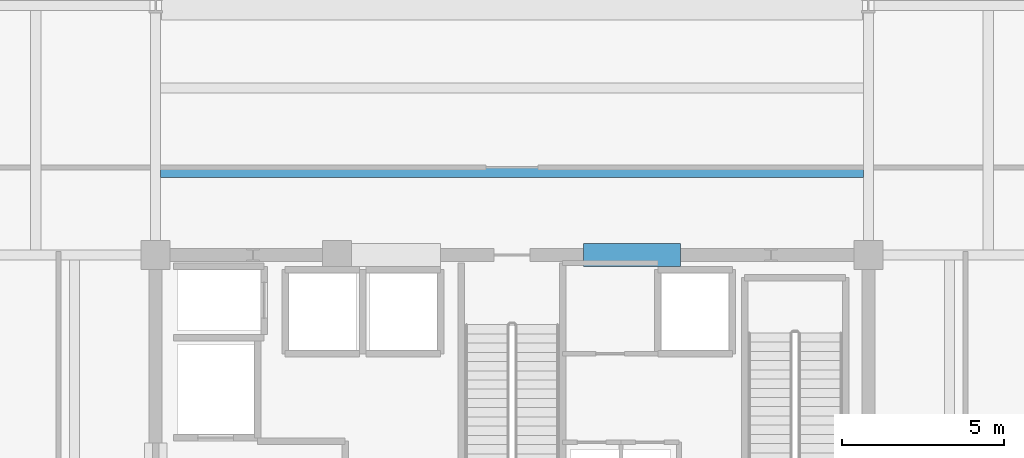
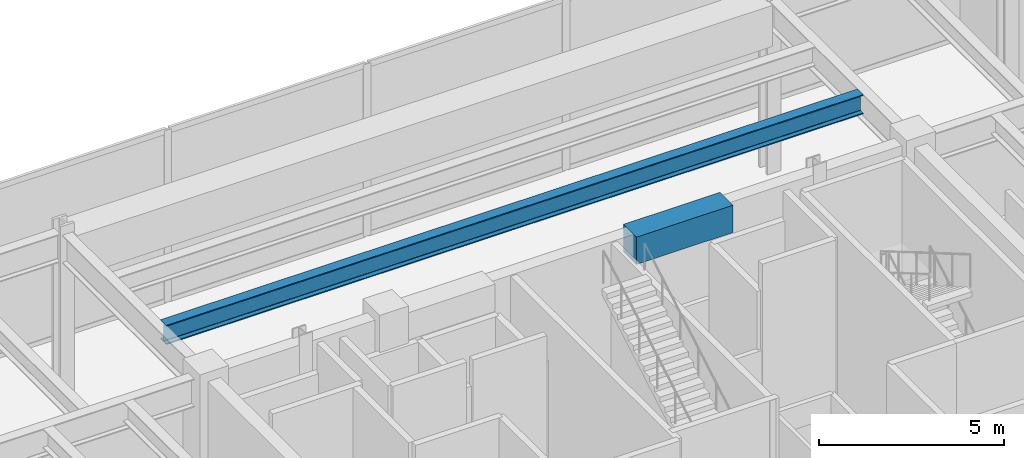
# One storey, part 9 of 21: 2 beams.
"""IFC4 building model written with IfcOpenShell, lengths in metres."""

import ifcopenshell
import ifcopenshell.guid

model = None  # the IFC model being written
_history = None  # IfcOwnerHistory: only IFC2X3 demands one
_inside = {}  # id of a spatial element -> (the spatial element, [elements in it])
_under = {}  # id of a project, library or spatial element -> (it, [spatial elements below it])
_declared = {}  # id of a project -> (the project, [libraries it declares])
_typed = {}  # id of a type object -> (the type object, [elements of that type])
_made_of = {}  # id of a material, layer set ... -> (it, [elements and type objects made of it])


def new_model(schema):
    """Start an empty IFC model of exactly this schema.

    Asked for "IFC4X3", IfcOpenShell would pick the latest addendum, in which some entities
    have other attributes; the version numbers below select the first issue.
    IFC2X3 requires an IfcOwnerHistory on every rooted entity: one is made here for all.
    """
    global model, _history
    if schema == "IFC4X3":
        model = ifcopenshell.file(schema_version=(4, 3, 0, 0))
    else:
        model = ifcopenshell.file(schema=schema)
    _inside.clear()
    _under.clear()
    _declared.clear()
    _typed.clear()
    _made_of.clear()
    _history = None
    if model.schema == "IFC2X3":
        org = make("IfcOrganization", Name="unknown")
        user = make(
            "IfcPersonAndOrganization",
            ThePerson=make("IfcPerson", FamilyName="unknown"),
            TheOrganization=org,
        )
        app = make(
            "IfcApplication",
            ApplicationDeveloper=org,
            Version="unknown",
            ApplicationFullName="unknown",
            ApplicationIdentifier="unknown",
        )
        _history = make(
            "IfcOwnerHistory",
            OwningUser=user,
            OwningApplication=app,
            ChangeAction="ADDED",
            CreationDate=0,
        )
    return model


def make(cls, **values):
    """One entity of the class cls with the attributes given. An attribute that is None is left unset."""
    return model.create_entity(
        cls, **{name: value for name, value in values.items() if value is not None}
    )


def rooted(cls, **values):
    """An entity with a GlobalId (a new one), such as an element, a storey or a relation."""
    return make(cls, GlobalId=ifcopenshell.guid.new(), OwnerHistory=_history, **values)


def si_unit(unit_type, name, prefix=None):
    """IfcSIUnit, for example si_unit("LENGTHUNIT", "METRE", prefix="MILLI")."""
    return make("IfcSIUnit", UnitType=unit_type, Prefix=prefix, Name=name)


def assignment(units):
    """IfcUnitAssignment: the units of a project."""
    return None if units is None else make("IfcUnitAssignment", Units=units)


def point(xyz):
    """IfcCartesianPoint."""
    return None if xyz is None else make("IfcCartesianPoint", Coordinates=xyz)


def direction(xyz):
    """IfcDirection."""
    return None if xyz is None else make("IfcDirection", DirectionRatios=xyz)


def frame(location, z_axis=None, x_axis=None):
    """IfcAxis2Placement3D, a coordinate frame: its origin and axes. An axis left out is left unset."""
    return make(
        "IfcAxis2Placement3D",
        Location=point(location),
        Axis=direction(z_axis),
        RefDirection=direction(x_axis),
    )


def frame_2d(location, x_axis=None):
    """IfcAxis2Placement2D, a coordinate frame in the plane: its origin and x axis."""
    return make(
        "IfcAxis2Placement2D", Location=point(location), RefDirection=direction(x_axis)
    )


def origin():
    """The frame at (0, 0, 0) with its axes left unset."""
    return frame((0.0, 0.0, 0.0))


def origin_2d():
    """The frame at (0, 0) in the plane with its x axis left unset."""
    return frame_2d((0.0, 0.0))


def place(relative_to, where):
    """IfcLocalPlacement: puts the frame where relative to a parent placement (None: the world)."""
    return make(
        "IfcLocalPlacement", PlacementRelTo=relative_to, RelativePlacement=where
    )


def context(
    kind, dimensions, precision=None, world=None, true_north=None, identifier=None
):
    """IfcGeometricRepresentationContext, for example the 3D "Model" context."""
    return make(
        "IfcGeometricRepresentationContext",
        ContextIdentifier=identifier,
        ContextType=kind,
        CoordinateSpaceDimension=dimensions,
        Precision=precision,
        WorldCoordinateSystem=world,
        TrueNorth=true_north,
    )


def subcontext(parent, identifier, kind, view, scale=None):
    """IfcGeometricRepresentationSubContext, for example "Body" below "Model"."""
    return make(
        "IfcGeometricRepresentationSubContext",
        ContextIdentifier=identifier,
        ContextType=kind,
        ParentContext=parent,
        TargetScale=scale,
        TargetView=view,
    )


def project(units=None, contexts=None):
    """IfcProject with its units and contexts."""
    return rooted(
        "IfcProject",
        Name="project",
        RepresentationContexts=contexts,
        UnitsInContext=assignment(units),
    )


def spatial(cls, under=None, at=None, **own):
    """A site, building, storey or space (cls), placed at a placement, below another one or the project."""
    s = rooted(cls, ObjectPlacement=at, **own)
    if under is not None:
        _under.setdefault(under.id(), (under, []))[1].append(s)
    return s


def profile(cls, at=None, kind="AREA", **sizes):
    """A parametric profile (cls). Its sizes go by their IFC names, for example OverallWidth=200.0."""
    return make(cls, ProfileType=kind, Position=at, **sizes)


def rectangle(**sizes):
    """IfcRectangleProfileDef."""
    return profile("IfcRectangleProfileDef", **sizes)


def i_section(**sizes):
    """IfcIShapeProfileDef."""
    return profile("IfcIShapeProfileDef", **sizes)


def extrude(swept, where, along, depth):
    """IfcExtrudedAreaSolid: the profile swept, set in the frame where, extruded along a direction by depth."""
    return make(
        "IfcExtrudedAreaSolid",
        SweptArea=swept,
        Position=where,
        ExtrudedDirection=direction(along),
        Depth=depth,
    )


def shape(context_of_items, identifier, shape_type, items):
    """IfcShapeRepresentation: the items that make up one representation, for example the "Body"."""
    return make(
        "IfcShapeRepresentation",
        ContextOfItems=context_of_items,
        RepresentationIdentifier=identifier,
        RepresentationType=shape_type,
        Items=items,
    )


def material(Name=None, Category=None):
    """IfcMaterial."""
    return make("IfcMaterial", Name=Name, Category=Category)


def material_profile(
    of_material, cross_section, Name=None, Category=None, Priority=None
):
    """IfcMaterialProfile: a cross section and its material."""
    return make(
        "IfcMaterialProfile",
        Name=Name,
        Material=of_material,
        Profile=cross_section,
        Priority=Priority,
        Category=Category,
    )


def profile_set(profiles, Name=None, composite=None):
    """IfcMaterialProfileSet."""
    return make(
        "IfcMaterialProfileSet",
        Name=Name,
        MaterialProfiles=profiles,
        CompositeProfile=composite,
    )


def made_of(thing, what):
    """Note that an element or type object is made of a material, layer set ...; save() writes the relation."""
    if what is not None:
        _made_of.setdefault(what.id(), (what, []))[1].append(thing)
    return thing


def type_object(cls, material=None, **own):
    """A type object (cls), such as IfcWallType, which elements share."""
    return made_of(rooted(cls, **own), material)


def element(
    cls,
    number,
    at=None,
    inside=None,
    cuts=None,
    type_object=None,
    material=None,
    context=None,
    identifier="Body",
    shape_type=None,
    held_by="IfcProductDefinitionShape",
    body=None,
    shapes=None,
    **own,
):
    """One element of the class cls, such as IfcWall. Its Tag is "e" and its number.

    at: its placement. inside: the storey or other place that contains it. cuts: it is an
    opening in that element (IfcRelVoidsElement). A single representation is given by context,
    identifier, shape_type and body (its items); several are given by shapes. held_by: the class
    of the entity that holds the representations. save() writes the other relations.
    """
    e = rooted(cls, Tag="e%d" % number, ObjectPlacement=at, **own)
    if body is not None:
        shapes = [shape(context, identifier, shape_type, body)]
    if shapes is not None:
        e.Representation = make(held_by, Representations=shapes)
    if inside is not None:
        _inside.setdefault(inside.id(), (inside, []))[1].append(e)
    if cuts is not None:
        rooted(
            "IfcRelVoidsElement", RelatingBuildingElement=cuts, RelatedOpeningElement=e
        )
    if type_object is not None:
        _typed.setdefault(type_object.id(), (type_object, []))[1].append(e)
    return made_of(e, material)


def aggregate(whole, parts):
    """IfcRelAggregates: a whole, such as a stair, and the parts it consists of."""
    return rooted("IfcRelAggregates", RelatingObject=whole, RelatedObjects=parts)


def save(model, path):
    """Write the relations noted so far, then the file.

    IfcRelAggregates (storeys below a building ...), IfcRelContainedInSpatialStructure (elements
    in a storey), IfcRelDefinesByType, IfcRelAssociatesMaterial and IfcRelDeclares: one each for
    every whole, place, type object, material and project.
    """
    for whole, parts in _under.values():
        aggregate(whole, parts)
    for where, things in _inside.values():
        rooted(
            "IfcRelContainedInSpatialStructure",
            RelatedElements=things,
            RelatingStructure=where,
        )
    for kind, things in _typed.values():
        rooted("IfcRelDefinesByType", RelatedObjects=things, RelatingType=kind)
    for what, things in _made_of.values():
        rooted("IfcRelAssociatesMaterial", RelatedObjects=things, RelatingMaterial=what)
    for by, libraries in _declared.values():
        rooted("IfcRelDeclares", RelatingContext=by, RelatedDefinitions=libraries)
    model.write(path)


model = new_model("IFC4")

# Units and contexts
model_context = context("Model", 3, precision=1e-05, world=origin(), true_north=direction((0.0, 1.0)))
body_context = subcontext(model_context, "Body", "Model", "MODEL_VIEW")
ifc_project = project(units=[si_unit("LENGTHUNIT", "METRE"), si_unit("AREAUNIT", "SQUARE_METRE"), si_unit("VOLUMEUNIT", "CUBIC_METRE"), si_unit("PLANEANGLEUNIT", "RADIAN"), si_unit("MASSUNIT", "GRAM", prefix="KILO")], contexts=[model_context])

# Site, building, storey
site_placement = place(None, origin())
site = spatial("IfcSite", under=ifc_project, at=site_placement, CompositionType="ELEMENT")
building_placement = place(site_placement, origin())
building = spatial("IfcBuilding", under=site, at=building_placement, Name="Kovane Verandah Tower", CompositionType="ELEMENT")
storey_placement = place(building_placement, frame((0.0, 0.0, 342.800048828125)))
storey = spatial("IfcBuildingStorey", under=building, at=storey_placement, Name="L80", CompositionType="ELEMENT", Elevation=342.800048828125)

# Beams
ifc_material_1 = material(Name="Concrete C60/75", Category="concrete")
ifc_material_profile_1 = material_profile(ifc_material_1, rectangle(XDim=0.699951171875, YDim=0.89990234375, at=origin_2d()), Name="RCB700x900")
ifc_profile_set_1 = profile_set([ifc_material_profile_1], Name="Concrete C60/75")
beam_type_1 = type_object("IfcBeamType", Name="BM-LINTEL-700x900", PredefinedType="LINTEL", material=ifc_profile_set_1)
beam_1_placement = place(storey_placement, frame((42.199951171875, 36.5, 5.25), z_axis=(1.0, 0.0, 0.0), x_axis=(0.0, 1.0, 0.0)))
element("IfcBeam", 1, at=beam_1_placement, inside=storey, type_object=beam_type_1, Name="L80 Core Coupling Lintel CL-N2", PredefinedType="LINTEL", context=body_context, shape_type="SweptSolid", body=[
    extrude(rectangle(XDim=0.699951171875, YDim=0.89990234375, at=origin_2d()), origin(), (0.0, 0.0, 1.0), 3.0),
])
ifc_material_2 = material(Name="Steel S460", Category="steel")
ifc_material_profile_2 = material_profile(ifc_material_2, i_section(OverallWidth=0.311279296875, OverallDepth=0.6357421875, WebThickness=0.018310546875, FlangeThickness=0.031494140625, FilletRadius=0.0166015625, at=origin_2d()), Name="UB610x305x238")
ifc_profile_set_2 = profile_set([ifc_material_profile_2], Name="Steel S460")
beam_type_2 = type_object("IfcBeamType", Name="BM-UB610x238", PredefinedType="BEAM", material=ifc_profile_set_2)
beam_2_placement = place(storey_placement, frame((29.15185546875, 39.050048828125, 5.382080078125), z_axis=(1.0, 0.0, 0.0), x_axis=(0.0, 1.0, 0.0)))
element("IfcBeam", 2, at=beam_2_placement, inside=storey, type_object=beam_type_2, Name="L80 Secondary Composite Joist J-N1", PredefinedType="BEAM", context=body_context, shape_type="SweptSolid", body=[
    extrude(i_section(OverallWidth=0.311279296875, OverallDepth=0.6357421875, WebThickness=0.018310546875, FlangeThickness=0.031494140625, FilletRadius=0.0166015625, at=origin_2d()), origin(), (0.0, 0.0, 1.0), 21.6962890625),
])

save(model, "model.ifc")
